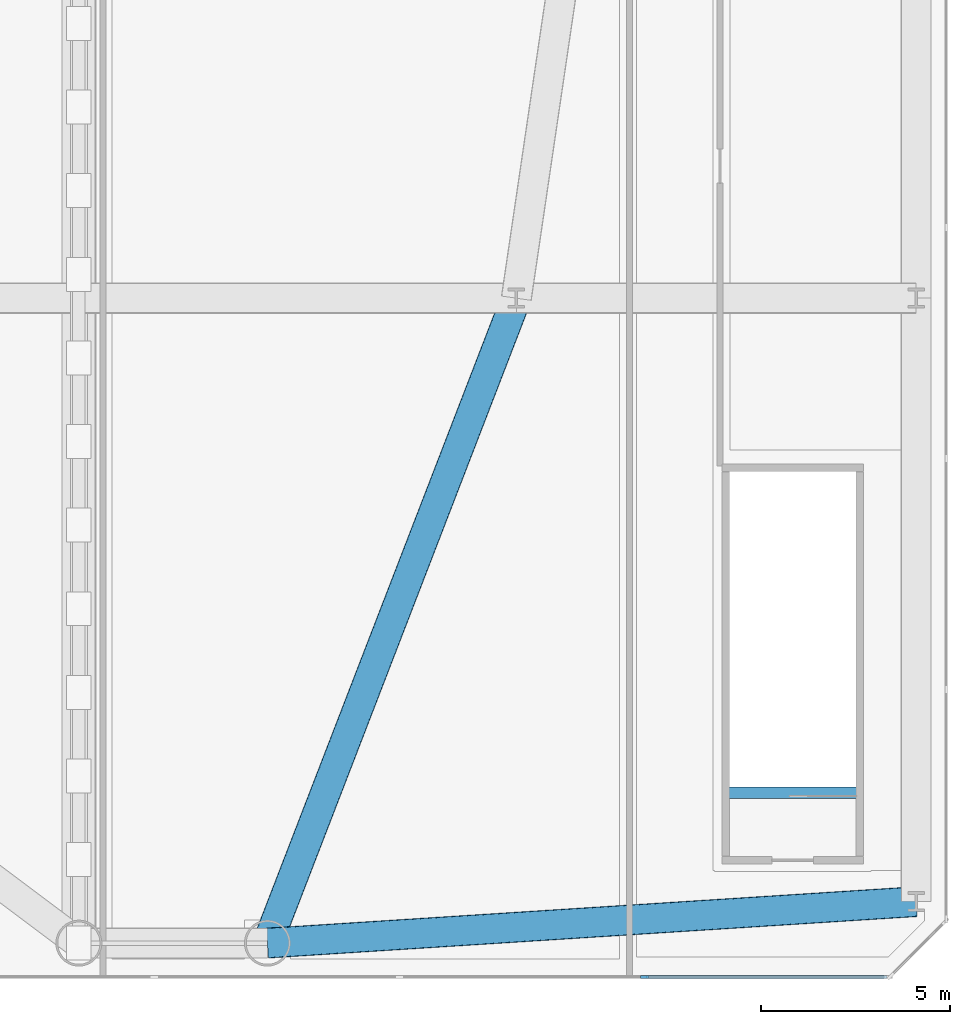
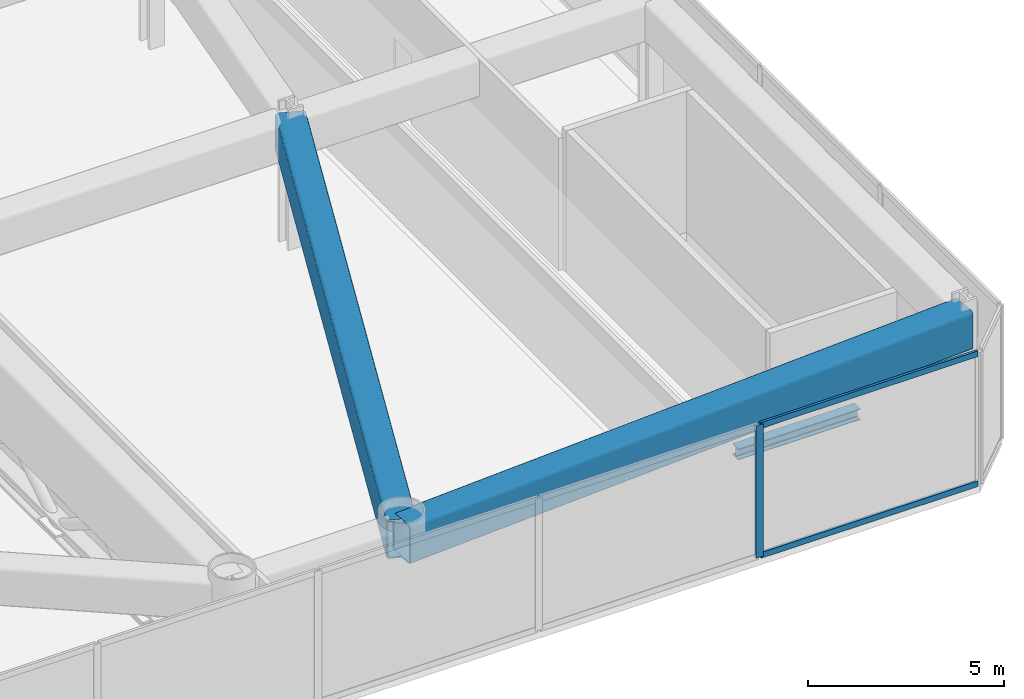
# One storey, part 5 of 21: 3 beams, 3 members, 1 element without a shape of its own.
"""IFC4 building model written with IfcOpenShell, lengths in metres."""

from ifc_helpers import new_model, si_unit, direction, frame, origin, origin_2d, place, context, subcontext, project, spatial, rectangle, hollow_rectangle, i_section, extrude, source, transform, mapped, material, layer, layer_set, material_profile, profile_set, type_object, element, aggregate, save


model = new_model("IFC4")

# Units and contexts
model_context = context("Model", 3, precision=1e-05, world=origin(), true_north=direction((0.0, 1.0)))
body_context = subcontext(model_context, "Body", "Model", "MODEL_VIEW")
ifc_project = project(units=[si_unit("LENGTHUNIT", "METRE"), si_unit("AREAUNIT", "SQUARE_METRE"), si_unit("VOLUMEUNIT", "CUBIC_METRE"), si_unit("PLANEANGLEUNIT", "RADIAN"), si_unit("MASSUNIT", "GRAM", prefix="KILO")], contexts=[model_context])

# Site, building, storey
site_placement = place(None, origin())
site = spatial("IfcSite", under=ifc_project, at=site_placement, CompositionType="ELEMENT")
building_placement = place(site_placement, origin())
building = spatial("IfcBuilding", under=site, at=building_placement, Name="Vaeldorn Concourse Tower", CompositionType="ELEMENT")
storey_placement = place(building_placement, frame((0.0, 0.0, 14.39990234375)))
storey = spatial("IfcBuildingStorey", under=building, at=storey_placement, Name="L03", CompositionType="ELEMENT", Elevation=14.39990234375)

# Beams
ifc_material_1 = material(Name="Steel S355", Category="steel")
ifc_material_profile_1 = material_profile(ifc_material_1, i_section(OverallWidth=0.300048828125, OverallDepth=0.340087890625, WebThickness=0.011962890625, FlangeThickness=0.021484375, FilletRadius=0.027099609375, at=origin_2d()), Name="HEB 340")
ifc_profile_set_1 = profile_set([ifc_material_profile_1], Name="Steel S355")
beam_type_1 = type_object("IfcBeamType", Name="BM-ST-TRIM", PredefinedType="BEAM", material=ifc_profile_set_1)
shared_shape_1 = source(origin(), body_context, "Body", "SweptSolid", [
    extrude(i_section(OverallWidth=0.300048828125, OverallDepth=0.340087890625, WebThickness=0.011962890625, FlangeThickness=0.021484375, FilletRadius=0.027099609375, at=origin_2d()), origin(), (0.0, 0.0, 1.0), 3.590087890625),
])
beam_1_placement = place(storey_placement, frame((62.1298828125, 4.889892578125, -0.449951171875), z_axis=(1.0, 0.0, 0.0), x_axis=(0.0, 1.0, 0.0)))
element("IfcBeam", 1, at=beam_1_placement, inside=storey, type_object=beam_type_1, Name="Stair Landing Trimmer Beam ST-5 L03", PredefinedType="BEAM", context=body_context, shape_type="MappedRepresentation", body=[
    mapped(shared_shape_1, transform((0.0, 0.0, 0.0), scale=1.0)),
])
ifc_material_2 = material(Name="Steel S460", Category="steel")
ifc_material_profile_2 = material_profile(ifc_material_2, hollow_rectangle(XDim=0.800048828125, YDim=1.199951171875, WallThickness=0.044921875, InnerFilletRadius=0.044921875, OuterFilletRadius=0.090087890625, at=origin_2d()), Name="RHS 1200x800x45")
ifc_profile_set_2 = profile_set([ifc_material_profile_2], Name="Steel S460")
beam_type_2 = type_object("IfcBeamType", Name="BM-TG-RHS1200", PredefinedType="BEAM", material=ifc_profile_set_2)
shared_shape_2 = source(origin(), body_context, "Body", "SweptSolid", [
    extrude(hollow_rectangle(XDim=0.800048828125, YDim=1.199951171875, WallThickness=0.044921875, InnerFilletRadius=0.044921875, OuterFilletRadius=0.090087890625, at=origin_2d()), origin(), (0.0, 0.0, 1.0), 17.235107421875),
])
beam_2_placement = place(storey_placement, frame((50.0, 0.89990234375, 3.52001953125), z_axis=(0.997960855094, 0.063828925254, 0.0), x_axis=(-0.063828925254, 0.997960855094, 0.0)))
element("IfcBeam", 2, at=beam_2_placement, inside=storey, type_object=beam_type_2, Name="Beam BM-L03-TG-18", PredefinedType="BEAM", context=body_context, shape_type="MappedRepresentation", body=[
    mapped(shared_shape_2, transform((0.0, 0.0, 0.0), scale=1.0)),
])
shared_shape_3 = source(origin(), body_context, "Body", "SweptSolid", [
    extrude(hollow_rectangle(XDim=0.800048828125, YDim=1.199951171875, WallThickness=0.044921875, InnerFilletRadius=0.044921875, OuterFilletRadius=0.090087890625, at=origin_2d()), origin(), (0.0, 0.0, 1.0), 18.32958984375),
])
beam_3_placement = place(storey_placement, frame((56.60009765625, 18.0, 3.52001953125), z_axis=(-0.36007844134, -0.932922031084, 0.0), x_axis=(0.932922031084, -0.36007844134, 0.0)))
element("IfcBeam", 3, at=beam_3_placement, inside=storey, type_object=beam_type_2, Name="Beam BM-L03-TG-42", PredefinedType="BEAM", context=body_context, shape_type="MappedRepresentation", body=[
    mapped(shared_shape_3, transform((0.0, 0.0, 0.0), scale=1.0)),
])

# Curtain wall, members
ifc_material_3 = material(Name="Anodised Bronze Aluminium", Category="aluminium")
ifc_layer = layer(ifc_material_3, 0.239990234375)
ifc_layer_set = layer_set([ifc_layer], Name="Anodised Bronze Aluminium")
curtain_wall_type = type_object("IfcCurtainWallType", Name="CW-SYS-04", PredefinedType="NOTDEFINED", material=ifc_layer_set)
curtain_wall_placement = place(storey_placement, origin())
curtain_wall = element("IfcCurtainWall", 4, at=curtain_wall_placement, inside=storey, type_object=curtain_wall_type, Name="Unitised Curtain Wall CW-L03-E01-1", PredefinedType="NOTDEFINED")
ifc_material_profile_3 = material_profile(ifc_material_3, rectangle(XDim=0.074951171875, YDim=0.179931640625, at=origin_2d()), Name="CWT 75x180")
ifc_profile_set_3 = profile_set([ifc_material_profile_3], Name="Anodised Bronze Aluminium")
member_type_1 = type_object("IfcMemberType", Name="CWT-BRONZE-180", PredefinedType="USERDEFINED", material=ifc_profile_set_3)
shared_shape_4 = source(origin(), body_context, "Body", "SweptSolid", [
    extrude(rectangle(XDim=0.074951171875, YDim=0.179931640625, at=origin_2d()), origin(), (0.0, 0.0, 1.0), 6.387451171875),
])
member_1_placement = place(storey_placement, frame((60.03759765625, 0.0, 0.03759765625), z_axis=(1.0, 0.0, 0.0), x_axis=(0.0, 1.0, 0.0)))
member_1 = element("IfcMember", 5, at=member_1_placement, type_object=member_type_1, Name="CW-04 transom 10.1", ObjectType="TRANSOM", PredefinedType="USERDEFINED", context=body_context, shape_type="MappedRepresentation", body=[
    mapped(shared_shape_4, transform((0.0, 0.0, 0.0), scale=1.0)),
])
member_2_placement = place(storey_placement, frame((60.03759765625, 0.0, 4.08251953125), z_axis=(1.0, 0.0, 0.0), x_axis=(0.0, 1.0, 0.0)))
member_2 = element("IfcMember", 6, at=member_2_placement, type_object=member_type_1, Name="CW-04 transom 10.2", ObjectType="TRANSOM", PredefinedType="USERDEFINED", context=body_context, shape_type="MappedRepresentation", body=[
    mapped(shared_shape_4, transform((0.0, 0.0, 0.0), scale=1.0)),
])
ifc_material_profile_4 = material_profile(ifc_material_3, rectangle(XDim=0.074951171875, YDim=0.219970703125, at=origin_2d()), Name="CWM 75x220")
ifc_profile_set_4 = profile_set([ifc_material_profile_4], Name="Anodised Bronze Aluminium")
member_type_2 = type_object("IfcMemberType", Name="CWM-BRONZE-220", PredefinedType="MULLION", material=ifc_profile_set_4)
shared_shape_5 = source(origin(), body_context, "Body", "SweptSolid", [
    extrude(rectangle(XDim=0.074951171875, YDim=0.219970703125, at=origin_2d()), origin(), (0.0, 0.0, 1.0), 4.1201171875),
])
member_3_placement = place(storey_placement, frame((60.0, 0.0, 0.0), z_axis=(0.0, 0.0, 1.0), x_axis=(0.0, 1.0, 0.0)))
member_3 = element("IfcMember", 7, at=member_3_placement, type_object=member_type_2, Name="CW-04 mullion 10", PredefinedType="MULLION", context=body_context, shape_type="MappedRepresentation", body=[
    mapped(shared_shape_5, transform((0.0, 0.0, 0.0), scale=1.0)),
])
aggregate(curtain_wall, [member_3, member_1, member_2])

save(model, "model.ifc")
